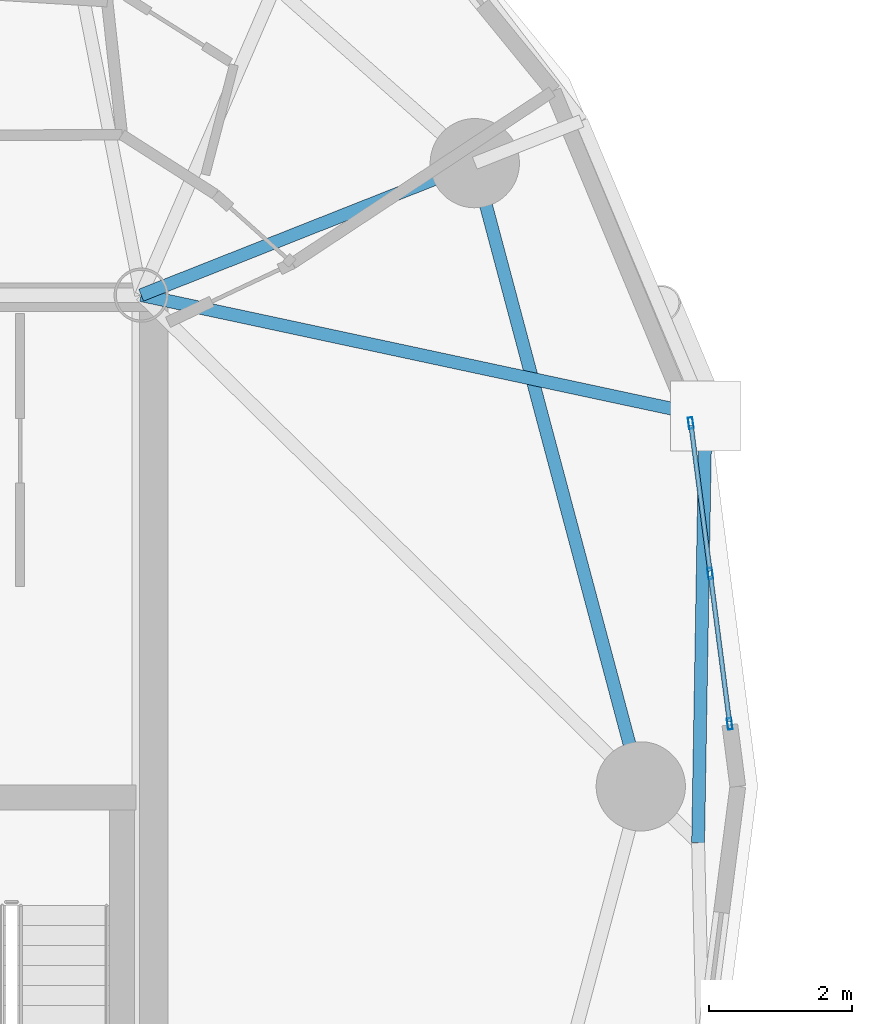
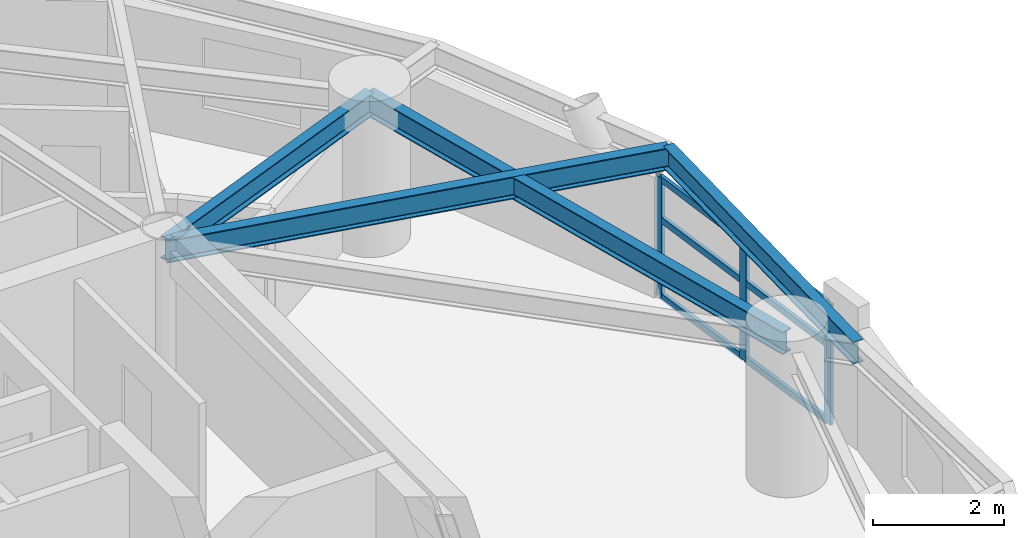
# One storey, part 3 of 18: 9 members, 4 beams, 1 element without a shape of its own.
"""IFC4 building model written with IfcOpenShell, lengths in metres."""

from ifc_helpers import new_model, si_unit, direction, frame, origin, origin_2d, place, context, subcontext, project, spatial, hollow_rectangle, i_section, extrude, material, layer, layer_set, material_profile, profile_set, type_object, element, aggregate, save


model = new_model("IFC4")

# Units and contexts
model_context = context("Model", 3, precision=1e-05, world=origin(), true_north=direction((0.0, 1.0)))
body_context = subcontext(model_context, "Body", "Model", "MODEL_VIEW")
ifc_project = project(units=[si_unit("LENGTHUNIT", "METRE"), si_unit("AREAUNIT", "SQUARE_METRE"), si_unit("VOLUMEUNIT", "CUBIC_METRE"), si_unit("PLANEANGLEUNIT", "RADIAN"), si_unit("MASSUNIT", "GRAM", prefix="KILO")], contexts=[model_context])

# Site, building, storey
site_placement = place(None, origin())
site = spatial("IfcSite", under=ifc_project, at=site_placement, CompositionType="ELEMENT")
building_placement = place(site_placement, origin())
building = spatial("IfcBuilding", under=site, at=building_placement, Name="Cununo Teusaquillo Station Towers", CompositionType="ELEMENT")
storey_placement = place(building_placement, frame((0.0, 0.0, 169.06005859375)))
storey = spatial("IfcBuildingStorey", under=building, at=storey_placement, Name="L53", CompositionType="ELEMENT", Elevation=169.06005859375)

# Beams
ifc_material_1 = material(Name="Steel ASTM A572 Grade 50", Category="steel")
ifc_material_profile_1 = material_profile(ifc_material_1, i_section(OverallWidth=0.180908203125, OverallDepth=0.4169921875, WebThickness=0.010986328125, FlangeThickness=0.018310546875, FilletRadius=0.012939453125, at=origin_2d()), Name="W16X57")
ifc_profile_set_1 = profile_set([ifc_material_profile_1], Name="Steel ASTM A572 Grade 50")
beam_type_1 = type_object("IfcBeamType", Name="BM-JOIST-1", PredefinedType="JOIST", material=ifc_profile_set_1)
beam_1_placement = place(storey_placement, frame((21.675048828125, 31.3798828125, 2.4814453125), z_axis=(0.977854548984, -0.209285644589, 0.0), x_axis=(0.209285644589, 0.977854548984, 0.0)))
element("IfcBeam", 1, at=beam_1_placement, inside=storey, type_object=beam_type_1, Name="L53 Tower A Radial Spandrel Joist V01", PredefinedType="JOIST", context=body_context, shape_type="SweptSolid", body=[
    extrude(i_section(OverallWidth=0.180908203125, OverallDepth=0.4169921875, WebThickness=0.010986328125, FlangeThickness=0.018310546875, FilletRadius=0.012939453125, at=origin_2d()), origin(), (0.0, 0.0, 1.0), 8.081787109375),
])
ifc_material_2 = material(Name="Steel ASTM A572 Grade 50", Category="steel")
ifc_material_profile_2 = material_profile(ifc_material_2, i_section(OverallWidth=0.180908203125, OverallDepth=0.4169921875, WebThickness=0.010986328125, FlangeThickness=0.018310546875, FilletRadius=0.012939453125, at=origin_2d()), Name="W16X57")
ifc_profile_set_2 = profile_set([ifc_material_profile_2], Name="Steel ASTM A572 Grade 50")
beam_type_2 = type_object("IfcBeamType", Name="BM-RAD-G2", PredefinedType="BEAM", material=ifc_profile_set_2)
beam_2_placement = place(storey_placement, frame((21.675048828125, 31.3798828125, 2.4814453125), z_axis=(0.929864104313, 0.367903176814, 0.0), x_axis=(-0.367903176814, 0.929864104313, 0.0)))
element("IfcBeam", 2, at=beam_2_placement, inside=storey, type_object=beam_type_2, Name="L53 Tower A Radial Girder 02A", PredefinedType="BEAM", context=body_context, shape_type="SweptSolid", body=[
    extrude(i_section(OverallWidth=0.180908203125, OverallDepth=0.4169921875, WebThickness=0.010986328125, FlangeThickness=0.018310546875, FilletRadius=0.012939453125, at=origin_2d()), origin(), (0.0, 0.0, 1.0), 5.02490234375),
])
ifc_material_3 = material(Name="Steel ASTM A572 Grade 50", Category="steel")
ifc_material_profile_3 = material_profile(ifc_material_3, i_section(OverallWidth=0.180908203125, OverallDepth=0.4169921875, WebThickness=0.010986328125, FlangeThickness=0.018310546875, FilletRadius=0.012939453125, at=origin_2d()), Name="W16X57")
ifc_profile_set_3 = profile_set([ifc_material_profile_3], Name="Steel ASTM A572 Grade 50")
beam_type_3 = type_object("IfcBeamType", Name="BM-RING-Z3", PredefinedType="SPANDREL", material=ifc_profile_set_3)
beam_3_placement = place(storey_placement, frame((28.672119140625, 24.5, 2.4814453125), z_axis=(-0.257363196347, 0.966314744359, 0.0), x_axis=(-0.966314744359, -0.257363196347, 0.0)))
element("IfcBeam", 3, at=beam_3_placement, inside=storey, type_object=beam_type_3, Name="L53 Tower A Structural Column Ring Girder 01", PredefinedType="SPANDREL", context=body_context, shape_type="SweptSolid", body=[
    extrude(i_section(OverallWidth=0.180908203125, OverallDepth=0.4169921875, WebThickness=0.010986328125, FlangeThickness=0.018310546875, FilletRadius=0.012939453125, at=origin_2d()), origin(), (0.0, 0.0, 1.0), 9.03271484375),
])
beam_4_placement = place(storey_placement, frame((29.474853515625, 23.710693359375, 2.4814453125), z_axis=(0.017232482627, 0.999851509747, 0.0), x_axis=(-0.999851509747, 0.017232482627, 0.0)))
element("IfcBeam", 4, at=beam_4_placement, inside=storey, type_object=beam_type_3, Name="L53 Tower A Spandrel Ring Beam 01", PredefinedType="SPANDREL", context=body_context, shape_type="SweptSolid", body=[
    extrude(i_section(OverallWidth=0.180908203125, OverallDepth=0.4169921875, WebThickness=0.010986328125, FlangeThickness=0.018310546875, FilletRadius=0.012939453125, at=origin_2d()), origin(), (0.0, 0.0, 1.0), 5.978759765625),
])

# Curtain wall, members
ifc_material_4 = material(Name="Operable acoustic tinted low-E double glazing", Category="glass")
ifc_layer = layer(ifc_material_4, 0.179931640625)
ifc_layer_set = layer_set([ifc_layer], Name="Operable acoustic tinted low-E double glazing")
curtain_wall_type = type_object("IfcCurtainWallType", Name="CW-SYS-06", PredefinedType="USERDEFINED", material=ifc_layer_set)
curtain_wall_placement = place(storey_placement, origin())
curtain_wall = element("IfcCurtainWall", 5, at=curtain_wall_placement, inside=storey, type_object=curtain_wall_type, Name="L53 Tower A Facade Curtain Wall C00", ObjectType="OPERABLE GLAZING", PredefinedType="USERDEFINED")
ifc_material_5 = material(Name="Anodised dark bronze aluminium EN AW-6063-T6", Category="aluminium")
ifc_material_profile_4 = material_profile(ifc_material_5, hollow_rectangle(XDim=0.06494140625, YDim=0.159912109375, WallThickness=0.00390625, at=origin_2d()), Name="CW-MULL-65x160")
ifc_profile_set_4 = profile_set([ifc_material_profile_4], Name="Anodised dark bronze aluminium EN AW-6063-T6")
member_type_1 = type_object("IfcMemberType", Name="CWM-160", PredefinedType="MULLION", material=ifc_profile_set_4)
member_1_placement = place(storey_placement, frame((29.372802734375, 29.588134765625, 0.0), z_axis=(0.0, 0.0, 1.0), x_axis=(0.991737283761, 0.128285462927, 0.0)))
member_1 = element("IfcMember", 6, at=member_1_placement, type_object=member_type_1, Name="CW-06 mullion 1", PredefinedType="MULLION", context=body_context, shape_type="SweptSolid", body=[
    extrude(hollow_rectangle(XDim=0.06494140625, YDim=0.159912109375, WallThickness=0.00390625, at=origin_2d()), origin(), (0.0, 0.0, 1.0), 2.244873046875),
])
member_2_placement = place(storey_placement, frame((29.645263671875, 27.481689453125, 0.0), z_axis=(0.0, 0.0, 1.0), x_axis=(0.991737283761, 0.128285462927, 0.0)))
member_2 = element("IfcMember", 7, at=member_2_placement, type_object=member_type_1, Name="CW-06 mullion 2", PredefinedType="MULLION", context=body_context, shape_type="SweptSolid", body=[
    extrude(hollow_rectangle(XDim=0.06494140625, YDim=0.159912109375, WallThickness=0.00390625, at=origin_2d()), origin(), (0.0, 0.0, 1.0), 2.244873046875),
])
member_3_placement = place(storey_placement, frame((29.917724609375, 25.375244140625, 0.0), z_axis=(0.0, 0.0, 1.0), x_axis=(0.991737283761, 0.128285462927, 0.0)))
member_3 = element("IfcMember", 8, at=member_3_placement, type_object=member_type_1, Name="CW-06 mullion 3", PredefinedType="MULLION", context=body_context, shape_type="SweptSolid", body=[
    extrude(hollow_rectangle(XDim=0.06494140625, YDim=0.159912109375, WallThickness=0.00390625, at=origin_2d()), origin(), (0.0, 0.0, 1.0), 2.244873046875),
])
ifc_material_6 = material(Name="Anodised dark bronze aluminium EN AW-6063-T6", Category="aluminium")
ifc_material_profile_5 = material_profile(ifc_material_6, hollow_rectangle(XDim=0.06494140625, YDim=0.1201171875, WallThickness=0.00390625, at=origin_2d()), Name="CW-TRAN-65x120")
ifc_profile_set_5 = profile_set([ifc_material_profile_5], Name="Anodised dark bronze aluminium EN AW-6063-T6")
member_type_2 = type_object("IfcMemberType", Name="CWT-120", PredefinedType="USERDEFINED", material=ifc_profile_set_5)
member_4_placement = place(storey_placement, frame((29.376953125, 29.555908203125, 0.032470703125), z_axis=(0.128294885484, -0.991736064867, 0.0), x_axis=(0.991736064867, 0.128294885484, 0.0)))
member_4 = element("IfcMember", 9, at=member_4_placement, type_object=member_type_2, Name="CW-06 transom 1.1", ObjectType="TRANSOM", PredefinedType="USERDEFINED", context=body_context, shape_type="SweptSolid", body=[
    extrude(hollow_rectangle(XDim=0.06494140625, YDim=0.1201171875, WallThickness=0.00390625, at=origin_2d()), origin(), (0.0, 0.0, 1.0), 2.05908203125),
])
member_5_placement = place(storey_placement, frame((29.376953125, 29.555908203125, 1.458984375), z_axis=(0.128294885484, -0.991736064867, 0.0), x_axis=(0.991736064867, 0.128294885484, 0.0)))
member_5 = element("IfcMember", 10, at=member_5_placement, type_object=member_type_2, Name="CW-06 transom 1.2", ObjectType="TRANSOM", PredefinedType="USERDEFINED", context=body_context, shape_type="SweptSolid", body=[
    extrude(hollow_rectangle(XDim=0.06494140625, YDim=0.1201171875, WallThickness=0.00390625, at=origin_2d()), origin(), (0.0, 0.0, 1.0), 2.05908203125),
])
member_6_placement = place(storey_placement, frame((29.376953125, 29.555908203125, 2.21240234375), z_axis=(0.128294885484, -0.991736064867, 0.0), x_axis=(0.991736064867, 0.128294885484, 0.0)))
member_6 = element("IfcMember", 11, at=member_6_placement, type_object=member_type_2, Name="CW-06 transom 1.3", ObjectType="TRANSOM", PredefinedType="USERDEFINED", context=body_context, shape_type="SweptSolid", body=[
    extrude(hollow_rectangle(XDim=0.06494140625, YDim=0.1201171875, WallThickness=0.00390625, at=origin_2d()), origin(), (0.0, 0.0, 1.0), 2.05908203125),
])
member_7_placement = place(storey_placement, frame((29.6494140625, 27.449462890625, 0.032470703125), z_axis=(0.128294885484, -0.991736064867, 0.0), x_axis=(0.991736064867, 0.128294885484, 0.0)))
member_7 = element("IfcMember", 12, at=member_7_placement, type_object=member_type_2, Name="CW-06 transom 2.1", ObjectType="TRANSOM", PredefinedType="USERDEFINED", context=body_context, shape_type="SweptSolid", body=[
    extrude(hollow_rectangle(XDim=0.06494140625, YDim=0.1201171875, WallThickness=0.00390625, at=origin_2d()), origin(), (0.0, 0.0, 1.0), 2.05908203125),
])
member_8_placement = place(storey_placement, frame((29.6494140625, 27.449462890625, 1.458984375), z_axis=(0.128294885484, -0.991736064867, 0.0), x_axis=(0.991736064867, 0.128294885484, 0.0)))
member_8 = element("IfcMember", 13, at=member_8_placement, type_object=member_type_2, Name="CW-06 transom 2.2", ObjectType="TRANSOM", PredefinedType="USERDEFINED", context=body_context, shape_type="SweptSolid", body=[
    extrude(hollow_rectangle(XDim=0.06494140625, YDim=0.1201171875, WallThickness=0.00390625, at=origin_2d()), origin(), (0.0, 0.0, 1.0), 2.05908203125),
])
member_9_placement = place(storey_placement, frame((29.6494140625, 27.449462890625, 2.21240234375), z_axis=(0.128294885484, -0.991736064867, 0.0), x_axis=(0.991736064867, 0.128294885484, 0.0)))
member_9 = element("IfcMember", 14, at=member_9_placement, type_object=member_type_2, Name="CW-06 transom 2.3", ObjectType="TRANSOM", PredefinedType="USERDEFINED", context=body_context, shape_type="SweptSolid", body=[
    extrude(hollow_rectangle(XDim=0.06494140625, YDim=0.1201171875, WallThickness=0.00390625, at=origin_2d()), origin(), (0.0, 0.0, 1.0), 2.05908203125),
])
aggregate(curtain_wall, [member_1, member_2, member_3, member_4, member_5, member_6, member_7, member_8, member_9])

save(model, "model.ifc")
